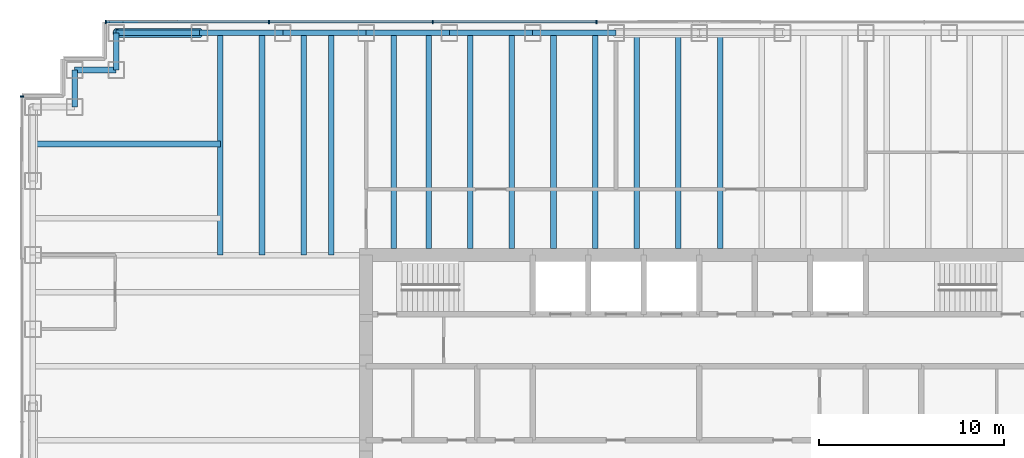
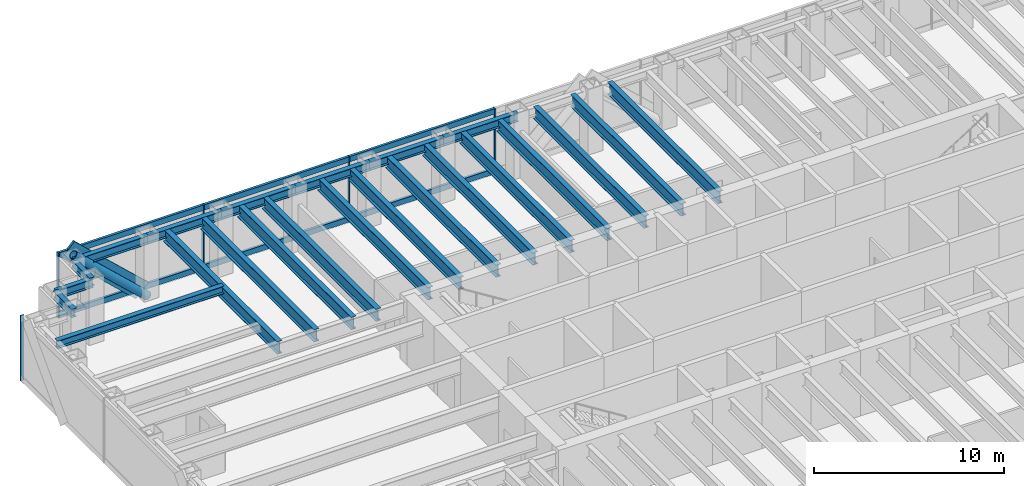
# One storey, part 6 of 15: 23 beams, 13 members, 2 elements without a shape of their own.
"""IFC4 building model written with IfcOpenShell, lengths in metres."""

from ifc_helpers import new_model, si_unit, direction, frame, origin, origin_2d, place, context, subcontext, project, spatial, rectangle, hollow_circle, i_section, extrude, material, material_profile, profile_set, type_object, element, aggregate, save


model = new_model("IFC4")

# Units and contexts
model_context = context("Model", 3, precision=1e-05, world=origin(), true_north=direction((0.0, 1.0)))
body_context = subcontext(model_context, "Body", "Model", "MODEL_VIEW")
ifc_project = project(units=[si_unit("LENGTHUNIT", "METRE"), si_unit("AREAUNIT", "SQUARE_METRE"), si_unit("VOLUMEUNIT", "CUBIC_METRE"), si_unit("PLANEANGLEUNIT", "RADIAN"), si_unit("MASSUNIT", "GRAM", prefix="KILO")], contexts=[model_context])

# Site, building, storey
site_placement = place(None, origin())
site = spatial("IfcSite", under=ifc_project, at=site_placement, CompositionType="ELEMENT")
building_placement = place(site_placement, origin())
building = spatial("IfcBuilding", under=site, at=building_placement, Name="Rheinbord Bourse Tower", CompositionType="ELEMENT")
storey_placement = place(building_placement, frame((0.0, 0.0, 329.89990234375)))
storey = spatial("IfcBuildingStorey", under=building, at=storey_placement, Name="L75", CompositionType="ELEMENT", Elevation=329.89990234375)

# Curtain wall, members
ifc_material_1 = material(Name="Dark glass and black aluminium", Category="aluminium")
curtain_wall_type = type_object("IfcCurtainWallType", Name="CW3 DARK GLASS CURTAIN WALL", PredefinedType="USERDEFINED", material=ifc_material_1)
curtain_wall_1_placement = place(storey_placement, origin())
curtain_wall_1 = element("IfcCurtainWall", 1, at=curtain_wall_1_placement, inside=storey, type_object=curtain_wall_type, Name="Curtain wall CW3 N L75", ObjectType="UNITISED CURTAIN WALL", PredefinedType="USERDEFINED")
ifc_material_2 = material(Name="Black anodised aluminium", Category="aluminium")
ifc_material_profile_1 = material_profile(ifc_material_2, rectangle(XDim=0.14990234375, YDim=1.10791015625, at=origin_2d()), Name="CW3 DIAGONAL MULLION 1108x150")
ifc_profile_set_1 = profile_set([ifc_material_profile_1], Name="Black anodised aluminium")
member_type_1 = type_object("IfcMemberType", Name="CW3 BLACK DIAGONAL MULLION", PredefinedType="USERDEFINED", material=ifc_profile_set_1)
member_1_placement = place(storey_placement, frame((9.0, 44.60009765625, 0.0), z_axis=(-0.731039441158, 0.0, 0.682335207557), x_axis=(0.0, -1.0, 0.0)))
member_1 = element("IfcMember", 2, at=member_1_placement, type_object=member_type_1, Name="CW3 diagonal mullion c", ObjectType="DIAGONAL MULLION", PredefinedType="USERDEFINED", context=body_context, shape_type="SweptSolid", body=[
    extrude(rectangle(XDim=0.14990234375, YDim=1.10791015625, at=origin_2d()), origin(), (0.0, 0.0, 1.0), 6.155517578125),
])
ifc_material_3 = material(Name="Black anodised aluminium", Category="aluminium")
ifc_material_profile_2 = material_profile(ifc_material_3, rectangle(XDim=0.199951171875, YDim=0.06494140625, at=origin_2d()), Name="CW3 MULLION 65x200")
ifc_profile_set_2 = profile_set([ifc_material_profile_2], Name="Black anodised aluminium")
member_type_2 = type_object("IfcMemberType", Name="CW3 BLACK MULLION", PredefinedType="MULLION", material=ifc_profile_set_2)
member_2_placement = place(storey_placement, frame((30.449951171875, 44.60009765625, 0.0), z_axis=(0.0, 0.0, 1.0), x_axis=(0.0, -1.0, 0.0)))
member_2 = element("IfcMember", 3, at=member_2_placement, type_object=member_type_2, Name="CW3 mullion 5", PredefinedType="MULLION", context=body_context, shape_type="SweptSolid", body=[
    extrude(rectangle(XDim=0.199951171875, YDim=0.06494140625, at=origin_2d()), origin(), (0.0, 0.0, 1.0), 4.2001953125),
])
member_3_placement = place(storey_placement, frame((21.60009765625, 44.60009765625, 0.0), z_axis=(0.0, 0.0, 1.0), x_axis=(0.0, -1.0, 0.0)))
member_3 = element("IfcMember", 4, at=member_3_placement, type_object=member_type_2, Name="CW3 mullion 6", PredefinedType="MULLION", context=body_context, shape_type="SweptSolid", body=[
    extrude(rectangle(XDim=0.199951171875, YDim=0.06494140625, at=origin_2d()), origin(), (0.0, 0.0, 1.0), 4.2001953125),
])
member_4_placement = place(storey_placement, frame((12.75, 44.60009765625, 0.0), z_axis=(0.0, 0.0, 1.0), x_axis=(0.0, -1.0, 0.0)))
member_4 = element("IfcMember", 5, at=member_4_placement, type_object=member_type_2, Name="CW3 mullion 7", PredefinedType="MULLION", context=body_context, shape_type="SweptSolid", body=[
    extrude(rectangle(XDim=0.199951171875, YDim=0.06494140625, at=origin_2d()), origin(), (0.0, 0.0, 1.0), 4.2001953125),
])
member_5_placement = place(storey_placement, frame((3.9326171875, 44.60009765625, 0.0), z_axis=(0.0, 0.0, 1.0), x_axis=(0.0, -1.0, 0.0)))
member_5 = element("IfcMember", 6, at=member_5_placement, type_object=member_type_2, Name="CW3 mullion 8", PredefinedType="MULLION", context=body_context, shape_type="SweptSolid", body=[
    extrude(rectangle(XDim=0.199951171875, YDim=0.06494140625, at=origin_2d()), origin(), (0.0, 0.0, 1.0), 4.2001953125),
])

# Curtain wall, member
curtain_wall_2_placement = place(storey_placement, origin())
curtain_wall_2 = element("IfcCurtainWall", 7, at=curtain_wall_2_placement, inside=storey, type_object=curtain_wall_type, Name="Curtain wall CW3 W L75", ObjectType="UNITISED CURTAIN WALL", PredefinedType="USERDEFINED")
member_6_placement = place(storey_placement, frame((-0.60009765625, 40.5673828125, 0.0), z_axis=(0.0, 0.0, 1.0), x_axis=(1.0, 0.0, 0.0)))
member_6 = element("IfcMember", 8, at=member_6_placement, type_object=member_type_2, Name="CW3 mullion 1", PredefinedType="MULLION", context=body_context, shape_type="SweptSolid", body=[
    extrude(rectangle(XDim=0.199951171875, YDim=0.06494140625, at=origin_2d()), origin(), (0.0, 0.0, 1.0), 4.2001953125),
])
aggregate(curtain_wall_2, [member_6])

# Member
ifc_material_4 = material(Name="Black anodised aluminium", Category="aluminium")
ifc_material_profile_3 = material_profile(ifc_material_4, rectangle(XDim=0.14990234375, YDim=0.35009765625, at=origin_2d()), Name="CW3 TRANSOM 350x150")
ifc_profile_set_3 = profile_set([ifc_material_profile_3], Name="Black anodised aluminium")
member_type_3 = type_object("IfcMemberType", Name="CW3 BLACK TRANSOM", PredefinedType="USERDEFINED", material=ifc_profile_set_3)
member_7_placement = place(storey_placement, frame((30.41748046875, 44.60009765625, 0.175048828125), z_axis=(-1.0, 0.0, 0.0), x_axis=(0.0, -1.0, 0.0)))
member_7 = element("IfcMember", 9, at=member_7_placement, type_object=member_type_3, Name="CW3 transom 5.1", ObjectType="TRANSOM", PredefinedType="USERDEFINED", context=body_context, shape_type="SweptSolid", body=[
    extrude(rectangle(XDim=0.14990234375, YDim=0.35009765625, at=origin_2d()), origin(), (0.0, 0.0, 1.0), 8.784912109375),
])

member_8_placement = place(storey_placement, frame((30.41748046875, 44.60009765625, 4.025146484375), z_axis=(-1.0, 0.0, 0.0), x_axis=(0.0, -1.0, 0.0)))
member_8 = element("IfcMember", 10, at=member_8_placement, type_object=member_type_3, Name="CW3 transom 5.2", ObjectType="TRANSOM", PredefinedType="USERDEFINED", context=body_context, shape_type="SweptSolid", body=[
    extrude(rectangle(XDim=0.14990234375, YDim=0.35009765625, at=origin_2d()), origin(), (0.0, 0.0, 1.0), 8.784912109375),
])

member_9_placement = place(storey_placement, frame((21.5673828125, 44.60009765625, 0.175048828125), z_axis=(-1.0, 0.0, 0.0), x_axis=(0.0, -1.0, 0.0)))
member_9 = element("IfcMember", 11, at=member_9_placement, type_object=member_type_3, Name="CW3 transom 6.1", ObjectType="TRANSOM", PredefinedType="USERDEFINED", context=body_context, shape_type="SweptSolid", body=[
    extrude(rectangle(XDim=0.14990234375, YDim=0.35009765625, at=origin_2d()), origin(), (0.0, 0.0, 1.0), 8.784912109375),
])

member_10_placement = place(storey_placement, frame((21.5673828125, 44.60009765625, 4.025146484375), z_axis=(-1.0, 0.0, 0.0), x_axis=(0.0, -1.0, 0.0)))
member_10 = element("IfcMember", 12, at=member_10_placement, type_object=member_type_3, Name="CW3 transom 6.2", ObjectType="TRANSOM", PredefinedType="USERDEFINED", context=body_context, shape_type="SweptSolid", body=[
    extrude(rectangle(XDim=0.14990234375, YDim=0.35009765625, at=origin_2d()), origin(), (0.0, 0.0, 1.0), 8.784912109375),
])

member_11_placement = place(storey_placement, frame((12.717529296875, 44.60009765625, 0.175048828125), z_axis=(-1.0, 0.0, 0.0), x_axis=(0.0, -1.0, 0.0)))
member_11 = element("IfcMember", 13, at=member_11_placement, type_object=member_type_3, Name="CW3 transom 7.1", ObjectType="TRANSOM", PredefinedType="USERDEFINED", context=body_context, shape_type="SweptSolid", body=[
    extrude(rectangle(XDim=0.14990234375, YDim=0.35009765625, at=origin_2d()), origin(), (0.0, 0.0, 1.0), 8.75244140625),
])

member_12_placement = place(storey_placement, frame((12.717529296875, 44.60009765625, 4.025146484375), z_axis=(-1.0, 0.0, 0.0), x_axis=(0.0, -1.0, 0.0)))
member_12 = element("IfcMember", 14, at=member_12_placement, type_object=member_type_3, Name="CW3 transom 7.2", ObjectType="TRANSOM", PredefinedType="USERDEFINED", context=body_context, shape_type="SweptSolid", body=[
    extrude(rectangle(XDim=0.14990234375, YDim=0.35009765625, at=origin_2d()), origin(), (0.0, 0.0, 1.0), 8.75244140625),
])

aggregate(curtain_wall_1, [member_2, member_3, member_4, member_5, member_7, member_8, member_9, member_10, member_11, member_12, member_1])

# Beams
ifc_material_5 = material(Name="Steel S460", Category="steel")
ifc_material_profile_4 = material_profile(ifc_material_5, i_section(OverallWidth=0.300048828125, OverallDepth=0.800048828125, WebThickness=0.017578125, FlangeThickness=0.032958984375, at=origin_2d()), Name="HEB 800")
ifc_profile_set_4 = profile_set([ifc_material_profile_4], Name="Steel S460")
beam_type_1 = type_object("IfcBeamType", Name="FLOOR BEAM HEB 800", PredefinedType="BEAM", material=ifc_profile_set_4)
for number, where, z_axis, x_axis, name in (
    (15, (10.125, 44.0, 3.550048828125), (0.0, -1.0, 0.0), (1.0, 0.0, 0.0), "Floor beam N-9a RF"),
    (16, (12.375, 44.0, 3.550048828125), (0.0, -1.0, 0.0), (1.0, 0.0, 0.0), "Floor beam N-9b RF"),
    (17, (14.625, 44.0, 3.550048828125), (0.0, -1.0, 0.0), (1.0, 0.0, 0.0), "Floor beam N-13.5a RF"),
    (18, (16.125, 44.0, 3.550048828125), (0.0, -1.0, 0.0), (1.0, 0.0, 0.0), "Floor beam N-13.5b RF"),
):
    element("IfcBeam", number, at=place(storey_placement, frame(where, z_axis=z_axis, x_axis=x_axis)), inside=storey, type_object=beam_type_1, Name=name, PredefinedType="BEAM", context=body_context, shape_type="SweptSolid", body=[
        extrude(i_section(OverallWidth=0.300048828125, OverallDepth=0.800048828125, WebThickness=0.017578125, FlangeThickness=0.032958984375, at=origin_2d()), origin(), (0.0, 0.0, 1.0), 12.0),
    ])
for number, where, z_axis, x_axis, name in (
    (19, (19.5, 44.0, 3.550048828125), (0.0, -1.0, 0.0), (1.0, 0.0, 0.0), "Floor beam N-18a RF"),
    (20, (21.375, 44.0, 3.550048828125), (0.0, -1.0, 0.0), (1.0, 0.0, 0.0), "Floor beam N-18b RF"),
    (21, (23.625, 44.0, 3.550048828125), (0.0, -1.0, 0.0), (1.0, 0.0, 0.0), "Floor beam N-22.5a RF"),
    (22, (25.875, 44.0, 3.550048828125), (0.0, -1.0, 0.0), (1.0, 0.0, 0.0), "Floor beam N-22.5b RF"),
    (23, (28.125, 44.0, 3.550048828125), (0.0, -1.0, 0.0), (1.0, 0.0, 0.0), "Floor beam N-27a RF"),
    (24, (30.375, 44.0, 3.550048828125), (0.0, -1.0, 0.0), (1.0, 0.0, 0.0), "Floor beam N-27b RF"),
    (25, (32.625, 44.0, 3.550048828125), (0.0, -1.0, 0.0), (1.0, 0.0, 0.0), "Floor beam N-31.5a RF"),
    (26, (34.875, 44.0, 3.550048828125), (0.0, -1.0, 0.0), (1.0, 0.0, 0.0), "Floor beam N-31.5b RF"),
    (27, (37.125, 44.0, 3.550048828125), (0.0, -1.0, 0.0), (1.0, 0.0, 0.0), "Floor beam N-36a RF"),
):
    element("IfcBeam", number, at=place(storey_placement, frame(where, z_axis=z_axis, x_axis=x_axis)), inside=storey, type_object=beam_type_1, Name=name, PredefinedType="BEAM", context=body_context, shape_type="SweptSolid", body=[
        extrude(i_section(OverallWidth=0.300048828125, OverallDepth=0.800048828125, WebThickness=0.017578125, FlangeThickness=0.032958984375, at=origin_2d()), origin(), (0.0, 0.0, 1.0), 11.64990234375),
    ])

# Member
ifc_material_6 = material(Name="Steel S460", Category="steel")
ifc_material_profile_5 = material_profile(ifc_material_6, hollow_circle(Radius=0.25390625, WallThickness=0.030029296875, at=origin_2d()), Name="CHS 508x30")
ifc_profile_set_5 = profile_set([ifc_material_profile_5], Name="Steel S460")
member_type_4 = type_object("IfcMemberType", Name="MEGABRACE CHS 508x30", PredefinedType="BRACE", material=ifc_profile_set_5)
member_13_placement = place(storey_placement, frame((9.0, 44.0, 0.0), z_axis=(-0.731039441158, 0.0, 0.682335207557), x_axis=(0.0, -1.0, 0.0)))
element("IfcMember", 28, at=member_13_placement, inside=storey, type_object=member_type_4, Name="Megabrace N face line c L75", PredefinedType="BRACE", context=body_context, shape_type="SweptSolid", body=[
    extrude(hollow_circle(Radius=0.25390625, WallThickness=0.030029296875, at=origin_2d()), origin(), (0.0, 0.0, 1.0), 6.155517578125),
])

# Beams
ifc_material_7 = material(Name="Steel S460", Category="steel")
ifc_material_profile_6 = material_profile(ifc_material_7, i_section(OverallWidth=0.300048828125, OverallDepth=0.550048828125, WebThickness=0.014892578125, FlangeThickness=0.029052734375, at=origin_2d()), Name="HEB 550")
ifc_profile_set_6 = profile_set([ifc_material_profile_6], Name="Steel S460")
beam_type_2 = type_object("IfcBeamType", Name="SPANDREL HEB 550", PredefinedType="SPANDREL", material=ifc_profile_set_6)
for number, where, z_axis, x_axis, name in (
    (29, (31.5, 44.0, 3.675048828125), (-1.0, 0.0, 0.0), (0.0, -1.0, 0.0), "Spandrel N-31.5-N-27 under RF"),
    (30, (27.0, 44.0, 3.675048828125), (-1.0, 0.0, 0.0), (0.0, -1.0, 0.0), "Spandrel N-27-N-22.5 under RF"),
    (31, (22.5, 44.0, 3.675048828125), (-1.0, 0.0, 0.0), (0.0, -1.0, 0.0), "Spandrel N-22.5-N-18 under RF"),
    (32, (18.0, 44.0, 3.675048828125), (-1.0, 0.0, 0.0), (0.0, -1.0, 0.0), "Spandrel N-18-N-13.5 under RF"),
    (33, (13.5, 44.0, 3.675048828125), (-1.0, 0.0, 0.0), (0.0, -1.0, 0.0), "Spandrel N-13.5-N-9 under RF"),
    (34, (9.0, 44.0, 3.675048828125), (-1.0, 0.0, 0.0), (0.0, -1.0, 0.0), "Spandrel N-9-NW-E under RF"),
):
    element("IfcBeam", number, at=place(storey_placement, frame(where, z_axis=z_axis, x_axis=x_axis)), inside=storey, type_object=beam_type_2, Name=name, PredefinedType="SPANDREL", context=body_context, shape_type="SweptSolid", body=[
        extrude(i_section(OverallWidth=0.300048828125, OverallDepth=0.550048828125, WebThickness=0.014892578125, FlangeThickness=0.029052734375, at=origin_2d()), origin(), (0.0, 0.0, 1.0), 4.5),
    ])
beam_1_placement = place(storey_placement, frame((4.5, 44.0, 3.675048828125), z_axis=(0.0, -1.0, 0.0), x_axis=(1.0, 0.0, 0.0)))
element("IfcBeam", 35, at=beam_1_placement, inside=storey, type_object=beam_type_2, Name="Spandrel NW-E-NW-D under RF", PredefinedType="SPANDREL", context=body_context, shape_type="SweptSolid", body=[
    extrude(i_section(OverallWidth=0.300048828125, OverallDepth=0.550048828125, WebThickness=0.014892578125, FlangeThickness=0.029052734375, at=origin_2d()), origin(), (0.0, 0.0, 1.0), 2.0),
])
beam_2_placement = place(storey_placement, frame((4.5, 42.0, 3.675048828125), z_axis=(-1.0, 0.0, 0.0), x_axis=(0.0, -1.0, 0.0)))
element("IfcBeam", 36, at=beam_2_placement, inside=storey, type_object=beam_type_2, Name="Spandrel NW-D-NW-C under RF", PredefinedType="SPANDREL", context=body_context, shape_type="SweptSolid", body=[
    extrude(i_section(OverallWidth=0.300048828125, OverallDepth=0.550048828125, WebThickness=0.014892578125, FlangeThickness=0.029052734375, at=origin_2d()), origin(), (0.0, 0.0, 1.0), 2.25),
])
beam_3_placement = place(storey_placement, frame((2.25, 42.0, 3.675048828125), z_axis=(0.0, -1.0, 0.0), x_axis=(1.0, 0.0, 0.0)))
element("IfcBeam", 37, at=beam_3_placement, inside=storey, type_object=beam_type_2, Name="Spandrel NW-C-NW-B under RF", PredefinedType="SPANDREL", context=body_context, shape_type="SweptSolid", body=[
    extrude(i_section(OverallWidth=0.300048828125, OverallDepth=0.550048828125, WebThickness=0.014892578125, FlangeThickness=0.029052734375, at=origin_2d()), origin(), (0.0, 0.0, 1.0), 2.0),
])
ifc_material_8 = material(Name="Steel S460", Category="steel")
ifc_material_profile_7 = material_profile(ifc_material_8, i_section(OverallWidth=0.300048828125, OverallDepth=0.5, WebThickness=0.014404296875, FlangeThickness=0.028076171875, at=origin_2d()), Name="HEB 500")
ifc_profile_set_7 = profile_set([ifc_material_profile_7], Name="Steel S460")
beam_type_3 = type_object("IfcBeamType", Name="TIE BEAM HEB 500", PredefinedType="JOIST", material=ifc_profile_set_7)
beam_4_placement = place(storey_placement, frame((0.0, 38.0, 3.7001953125), z_axis=(1.0, 0.0, 0.0), x_axis=(0.0, 1.0, 0.0)))
element("IfcBeam", 38, at=beam_4_placement, inside=storey, type_object=beam_type_3, Name="Tie west 38 RF", PredefinedType="JOIST", context=body_context, shape_type="SweptSolid", body=[
    extrude(i_section(OverallWidth=0.300048828125, OverallDepth=0.5, WebThickness=0.014404296875, FlangeThickness=0.028076171875, at=origin_2d()), origin(), (0.0, 0.0, 1.0), 10.125),
])

save(model, "model.ifc")
